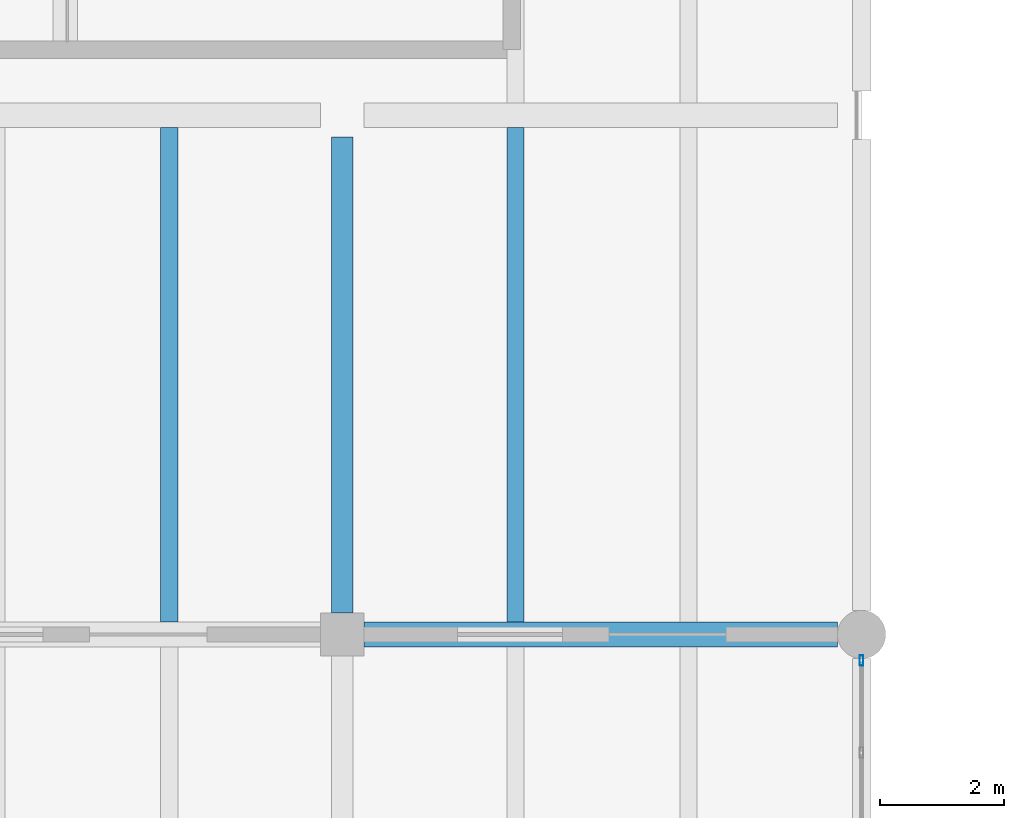
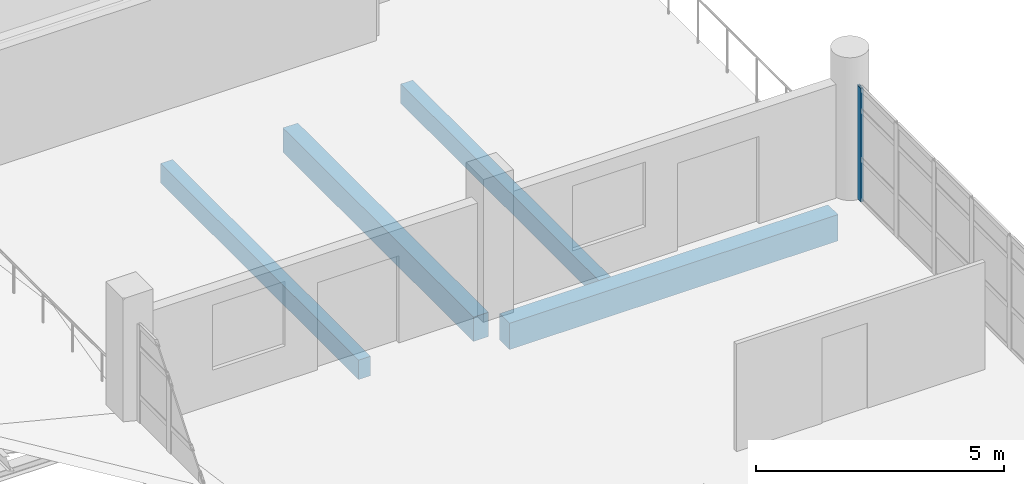
# One storey, part 60 of 95: 4 beams, 1 member, 1 element without a shape of its own.
"""IFC4 building model written with IfcOpenShell, lengths in metres."""

from ifc_helpers import new_model, si_unit, direction, frame, origin, origin_2d, place, context, subcontext, project, spatial, rectangle, hollow_rectangle, extrude, material, layer, layer_set, material_profile, profile_set, type_object, element, aggregate, save


model = new_model("IFC4")

# Units and contexts
model_context = context("Model", 3, precision=1e-05, world=origin(), true_north=direction((0.0, 1.0)))
body_context = subcontext(model_context, "Body", "Model", "MODEL_VIEW")
ifc_project = project(units=[si_unit("LENGTHUNIT", "METRE"), si_unit("AREAUNIT", "SQUARE_METRE"), si_unit("VOLUMEUNIT", "CUBIC_METRE"), si_unit("PLANEANGLEUNIT", "RADIAN"), si_unit("MASSUNIT", "GRAM", prefix="KILO"), si_unit("THERMODYNAMICTEMPERATUREUNIT", "KELVIN"), si_unit("POWERUNIT", "WATT")], contexts=[model_context])

# Site, building, storey
site_placement = place(None, origin())
site = spatial("IfcSite", under=ifc_project, at=site_placement, CompositionType="ELEMENT")
building_placement = place(site_placement, origin())
building = spatial("IfcBuilding", under=site, at=building_placement, Name="Mavoryth Pier Ferry Terminal", CompositionType="ELEMENT")
storey_placement = place(building_placement, frame((0.0, 0.0, 9.60009765625)))
storey = spatial("IfcBuildingStorey", under=building, at=storey_placement, Name="L02", CompositionType="ELEMENT", Elevation=9.60009765625)

# Beams
ifc_material_1 = material(Name="Concrete C35/45", Category="concrete")
ifc_material_profile_1 = material_profile(ifc_material_1, rectangle(XDim=0.35009765625, YDim=0.60009765625, at=origin_2d()), Name="RC 350x600", Category="concrete")
ifc_profile_set_1 = profile_set([ifc_material_profile_1], Name="Concrete C35/45 - RC 350x600")
beam_type_1 = type_object("IfcBeamType", Name="Girder-RC-350x600", PredefinedType="BEAM", material=ifc_profile_set_1)
beam_1_placement = place(storey_placement, frame((84.0, 89.550048828125, -0.66015625), z_axis=(0.0, 1.0, 0.0), x_axis=(-1.0, 0.0, 0.0)))
element("IfcBeam", 1, at=beam_1_placement, inside=storey, type_object=beam_type_1, Name="Beam B02-BG08-0734", PredefinedType="BEAM", context=body_context, shape_type="SweptSolid", body=[
    extrude(rectangle(XDim=0.35009765625, YDim=0.60009765625, at=origin_2d()), origin(), (0.0, 0.0, 1.0), 7.699951171875),
])
ifc_material_profile_2 = material_profile(ifc_material_1, rectangle(XDim=0.39990234375, YDim=0.64990234375, at=origin_2d()), Name="RC 400x650", Category="concrete")
ifc_profile_set_2 = profile_set([ifc_material_profile_2], Name="Concrete C35/45 - RC 400x650")
beam_type_2 = type_object("IfcBeamType", Name="Girder-RC-400x650", PredefinedType="BEAM", material=ifc_profile_set_2)
beam_2_placement = place(storey_placement, frame((84.35009765625, 89.199951171875, -0.68505859375), z_axis=(1.0, 0.0, 0.0), x_axis=(0.0, 1.0, 0.0)))
element("IfcBeam", 2, at=beam_2_placement, inside=storey, type_object=beam_type_2, Name="Beam B02-BG05-0723", PredefinedType="BEAM", context=body_context, shape_type="SweptSolid", body=[
    extrude(rectangle(XDim=0.39990234375, YDim=0.64990234375, at=origin_2d()), origin(), (0.0, 0.0, 1.0), 7.659912109375),
])
ifc_material_profile_3 = material_profile(ifc_material_1, rectangle(XDim=0.280029296875, YDim=0.47998046875, at=origin_2d()), Name="RC 280x480", Category="concrete")
ifc_profile_set_3 = profile_set([ifc_material_profile_3], Name="Concrete C35/45 - RC 280x480")
beam_type_3 = type_object("IfcBeamType", Name="Joist-RC-280x480", PredefinedType="JOIST", material=ifc_profile_set_3)
for number, where, z_axis, x_axis, name in (
    (3, (81.199951171875, 89.39990234375, -0.60009765625), (0.0, 1.0, 0.0), (-1.0, 0.0, 0.0), "Beam B02-BJ02-0743"),
    (4, (86.800048828125, 89.39990234375, -0.60009765625), (0.0, 1.0, 0.0), (-1.0, 0.0, 0.0), "Beam B02-BJ02-0748"),
):
    element("IfcBeam", number, at=place(storey_placement, frame(where, z_axis=z_axis, x_axis=x_axis)), inside=storey, type_object=beam_type_3, Name=name, PredefinedType="JOIST", context=body_context, shape_type="SweptSolid", body=[
        extrude(rectangle(XDim=0.280029296875, YDim=0.47998046875, at=origin_2d()), origin(), (0.0, 0.0, 1.0), 8.0),
    ])

# Curtain wall, member
ifc_material_2 = material(Name="Anodised Aluminium and Solar-Control Low-E Glass", Category="aluminium")
ifc_layer = layer(ifc_material_2, 0.159912109375, Name="Anodised Aluminium and Solar-Control Low-E Glass", Category="aluminium")
ifc_layer_set = layer_set([ifc_layer], Name="Anodised Aluminium and Solar-Control Low-E Glass - CW-Arrivals-Mod1400")
curtain_wall_type = type_object("IfcCurtainWallType", Name="CW-Arrivals-Mod1400", PredefinedType="USERDEFINED", material=ifc_layer_set)
curtain_wall_placement = place(storey_placement, origin())
curtain_wall = element("IfcCurtainWall", 5, at=curtain_wall_placement, inside=storey, type_object=curtain_wall_type, Name="Curtain Wall CW-0222-073", ObjectType="UNITISED CURTAIN WALL", PredefinedType="USERDEFINED")
ifc_material_3 = material(Name="Anodised Aluminium EN AW-6063", Category="aluminium")
ifc_material_profile_4 = material_profile(ifc_material_3, hollow_rectangle(XDim=0.06005859375, YDim=0.1650390625, WallThickness=0.00390625, InnerFilletRadius=0.00390625, OuterFilletRadius=0.008056640625, at=origin_2d()), Name="AL-MULL 165x60x4", Category="aluminium")
ifc_profile_set_4 = profile_set([ifc_material_profile_4], Name="Anodised Aluminium EN AW-6063 - AL-MULL 165x60x4")
member_type = type_object("IfcMemberType", Name="Mullion-Alum-165x60", PredefinedType="MULLION", material=ifc_profile_set_4)
member_placement = place(storey_placement, frame((92.39990234375, 88.780029296875, 0.0), z_axis=(0.0, 0.0, 1.0), x_axis=(-1.0, 0.0, 0.0)))
member = element("IfcMember", 6, at=member_placement, type_object=member_type, Name="CW04 mullion 6", PredefinedType="MULLION", context=body_context, shape_type="SweptSolid", body=[
    extrude(hollow_rectangle(XDim=0.06005859375, YDim=0.1650390625, WallThickness=0.00390625, InnerFilletRadius=0.00390625, OuterFilletRadius=0.008056640625, at=origin_2d()), origin(), (0.0, 0.0, 1.0), 2.804931640625),
])
aggregate(curtain_wall, [member])

save(model, "model.ifc")
